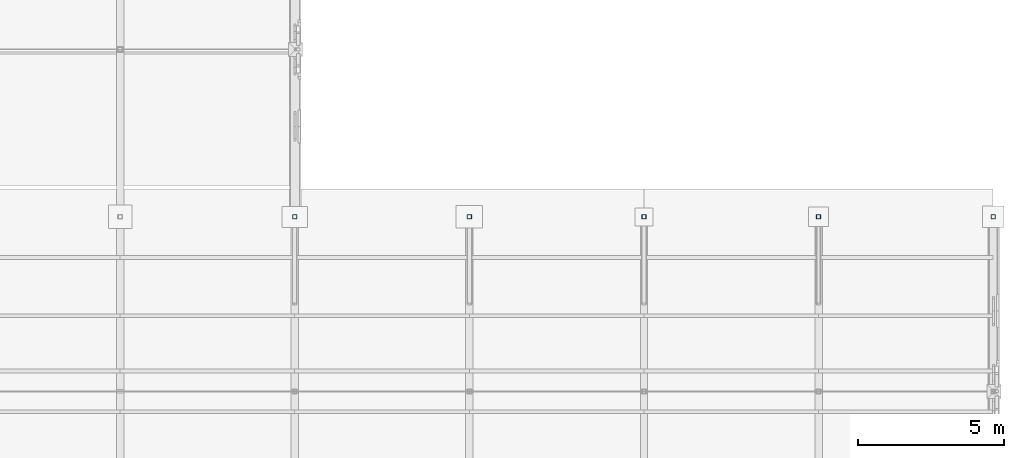
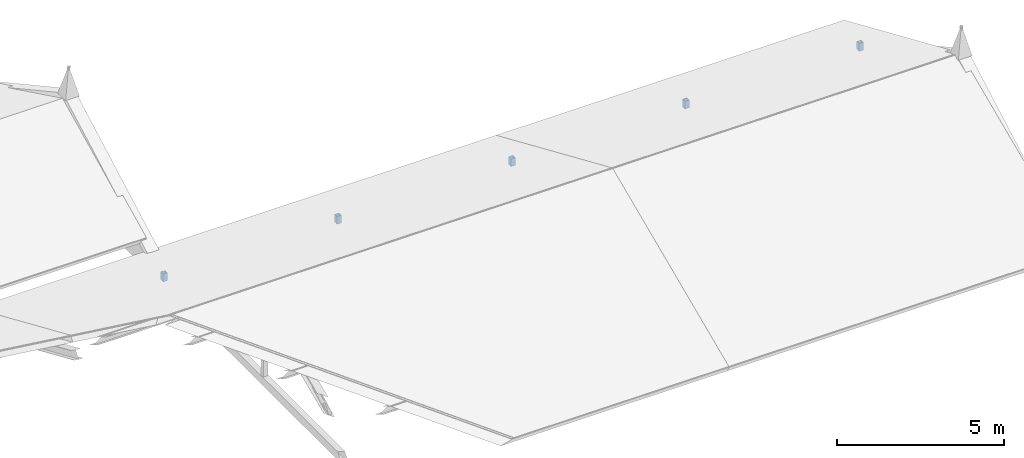
# One storey, part 34 of 59: 5 members.
"""IFC4 building model written with IfcOpenShell, lengths in metres."""

from ifc_helpers import new_model, si_unit, direction, frame, origin, origin_2d, place, context, subcontext, project, spatial, hollow_rectangle, extrude, material, material_profile, profile_set, type_object, element, save


model = new_model("IFC4")

# Units and contexts
model_context = context("Model", 3, precision=1e-05, world=origin(), true_north=direction((0.0, 1.0)))
body_context = subcontext(model_context, "Body", "Model", "MODEL_VIEW")
ifc_project = project(units=[si_unit("LENGTHUNIT", "METRE"), si_unit("AREAUNIT", "SQUARE_METRE"), si_unit("VOLUMEUNIT", "CUBIC_METRE"), si_unit("PLANEANGLEUNIT", "RADIAN"), si_unit("MASSUNIT", "GRAM", prefix="KILO")], contexts=[model_context])

# Site, building, storey
site_placement = place(None, origin())
site = spatial("IfcSite", under=ifc_project, at=site_placement, CompositionType="ELEMENT")
building_placement = place(site_placement, origin())
building = spatial("IfcBuilding", under=site, at=building_placement, Name="Cumevento Cable Car Station", CompositionType="ELEMENT")
storey_placement = place(building_placement, frame((0.0, 0.0, 18.0)))
storey = spatial("IfcBuildingStorey", under=building, at=storey_placement, Name="L05", CompositionType="ELEMENT", Elevation=18.0)

# Members
ifc_material = material(Name="Steel ASTM A572 Grade 50", Category="steel")
ifc_material_profile = material_profile(ifc_material, hollow_rectangle(XDim=0.14990234375, YDim=0.14990234375, WallThickness=0.010009765625, at=origin_2d()), Name="HSS150x150x10.0")
ifc_profile_set = profile_set([ifc_material_profile], Name="Steel ASTM A572 Grade 50")
member_type = type_object("IfcMemberType", Name="Framing Post TD-04 HSS150x150x10.0", PredefinedType="POST", material=ifc_profile_set)
for number, where, z_axis, x_axis, name in (
    (1, (142.0, 45.0, 0.0), (0.0, 0.0, 1.0), (1.0, 0.0, 0.0), "Cabin Garage Truss Heel Post #361"),
    (2, (148.0, 45.0, 0.0), (0.0, 0.0, 1.0), (1.0, 0.0, 0.0), "Cabin Garage Truss Heel Post #369"),
    (3, (154.0, 45.0, 0.0), (0.0, 0.0, 1.0), (1.0, 0.0, 0.0), "Cabin Garage Truss Heel Post #377"),
    (4, (160.0, 45.0, 0.0), (0.0, 0.0, 1.0), (1.0, 0.0, 0.0), "Cabin Garage Truss Heel Post #385"),
    (5, (166.0, 45.0, 0.0), (0.0, 0.0, 1.0), (1.0, 0.0, 0.0), "Cabin Garage Truss Heel Post #393"),
):
    element("IfcMember", number, at=place(storey_placement, frame(where, z_axis=z_axis, x_axis=x_axis)), inside=storey, type_object=member_type, Name=name, PredefinedType="POST", context=body_context, shape_type="SweptSolid", body=[
        extrude(hollow_rectangle(XDim=0.14990234375, YDim=0.14990234375, WallThickness=0.010009765625, at=origin_2d()), origin(), (0.0, 0.0, 1.0), 0.280029296875),
    ])

save(model, "model.ifc")
